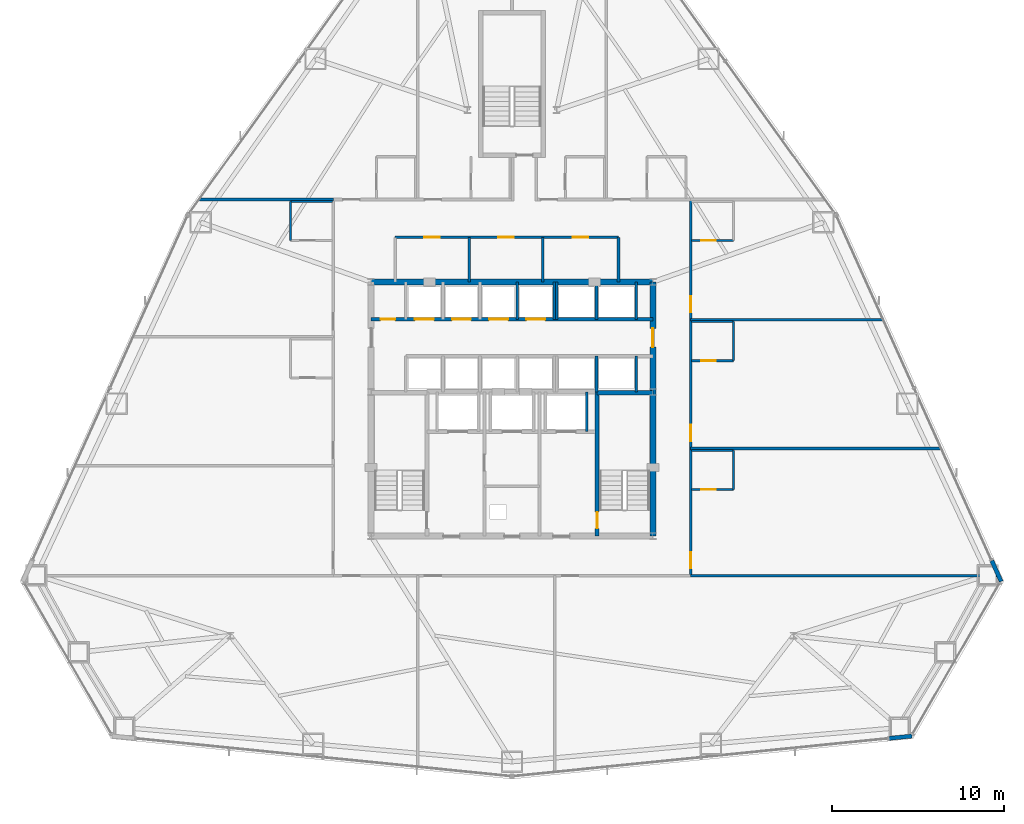
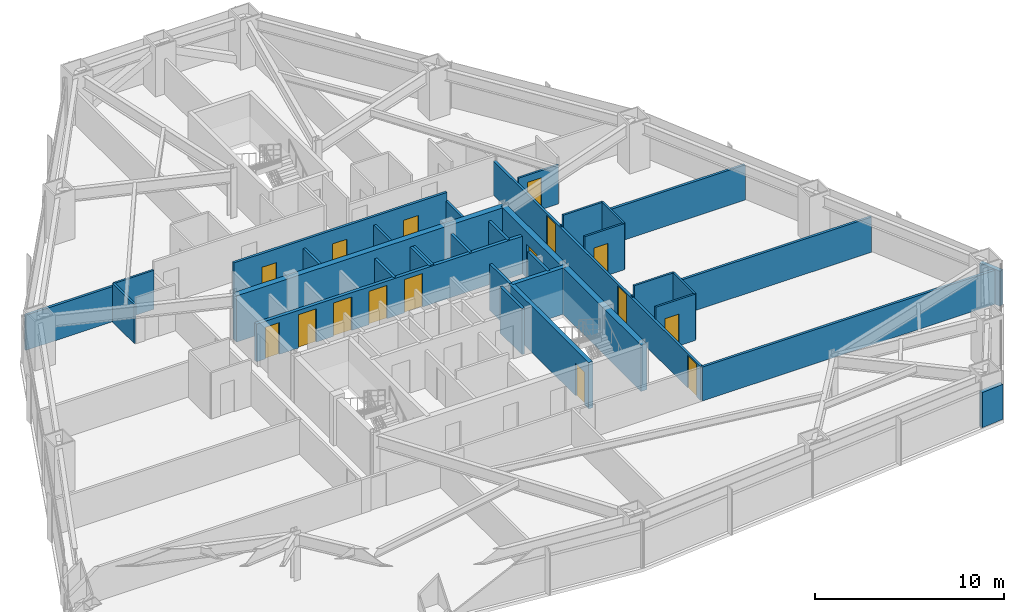
# One storey, part 10 of 12: 33 walls, 16 doors, 16 openings.
"""IFC4 building model written with IfcOpenShell, lengths in metres."""

from ifc_helpers import new_model, si_unit, direction, frame, frame_2d, origin, place, context, subcontext, project, spatial, rectangle, extrude, material, layer, layer_set, type_object, element, fill, save


model = new_model("IFC4")

# Units and contexts
model_context = context("Model", 3, precision=1e-05, world=origin(), true_north=direction((0.0, 1.0)))
body_context = subcontext(model_context, "Body", "Model", "MODEL_VIEW")
ifc_project = project(units=[si_unit("LENGTHUNIT", "METRE"), si_unit("AREAUNIT", "SQUARE_METRE"), si_unit("VOLUMEUNIT", "CUBIC_METRE"), si_unit("PLANEANGLEUNIT", "RADIAN"), si_unit("MASSUNIT", "GRAM", prefix="KILO")], contexts=[model_context])

# Site, building, storey
site_placement = place(None, origin())
site = spatial("IfcSite", under=ifc_project, at=site_placement, CompositionType="ELEMENT")
building_placement = place(site_placement, origin())
building = spatial("IfcBuilding", under=site, at=building_placement, Name="Varakhsha Concourse Tower", CompositionType="ELEMENT")
storey_placement = place(building_placement, frame((0.0, 0.0, 33.60009765625)))
storey = spatial("IfcBuildingStorey", under=building, at=storey_placement, Name="L08", CompositionType="ELEMENT", Elevation=33.60009765625)

# Wall
ifc_material_1 = material(Name="Concrete fc 65 MPa", Category="concrete")
ifc_layer_1 = layer(ifc_material_1, 0.35009765625, Name="WL-CORE-350")
ifc_layer_set_1 = layer_set([ifc_layer_1], Name="Concrete fc 65 MPa")
wall_type_1 = type_object("IfcWallType", Name="WL-CORE-350", PredefinedType="SHEAR", material=ifc_layer_set_1)
wall_1_placement = place(storey_placement, frame((31.800048828125, 31.199951171875, 0.0), z_axis=(0.0, 0.0, 1.0), x_axis=(1.0, 0.0, 0.0)))
element("IfcWall", 1, at=wall_1_placement, inside=storey, type_object=wall_type_1, Name="L08 Wall CWALL-N-L08", PredefinedType="SHEAR", context=body_context, shape_type="SweptSolid", body=[
    extrude(rectangle(XDim=16.39990234375, YDim=0.35009765625, at=frame_2d((8.199951171875, 0.0))), origin(), (0.0, 0.0, 1.0), 2.97998046875),
])

# Wall, opening, door
wall_2_placement = place(storey_placement, frame((48.199951171875, 16.39990234375, 0.0), z_axis=(0.0, 0.0, 1.0), x_axis=(0.0, 1.0, 0.0)))
wall_2 = element("IfcWall", 2, at=wall_2_placement, inside=storey, type_object=wall_type_1, Name="L08 Wall CWALL-E-L08", PredefinedType="SHEAR", context=body_context, shape_type="SweptSolid", body=[
    extrude(rectangle(XDim=14.800048828125, YDim=0.35009765625, at=frame_2d((7.39990234375, 0.0))), origin(), (0.0, 0.0, 1.0), 2.97998046875),
])
opening_1_placement = place(wall_2_placement, frame((11.0, 0.0, 0.0)))
opening_1 = element("IfcOpeningElement", 3, at=opening_1_placement, cuts=wall_2, Name="Opening DL-01", PredefinedType="OPENING", context=body_context, shape_type="SweptSolid", body=[
    extrude(rectangle(XDim=1.10009765625, YDim=2.14990234375, at=frame_2d((0.550048828125, 1.074951171875))), frame((0.0, 0.18505859375, 0.0), z_axis=(0.0, -1.0, 0.0), x_axis=(1.0, 0.0, 0.0)), (0.0, 0.0, 1.0), 0.3701171875),
])
ifc_material_2 = material(Name="Anodised Bronze Architectural Aluminium AA 6063-T6", Category="aluminium")
door_type_1 = type_object("IfcDoorType", Name="DR-LOB-1100", OperationType="NOTDEFINED", PredefinedType="DOOR", material=ifc_material_2)
door_1_placement = place(opening_1_placement, origin())
door_1 = element("IfcDoor", 4, at=door_1_placement, inside=storey, type_object=door_type_1, Name="L08 Lift Lobby East Concourse Door", OperationType="SINGLE_SWING_RIGHT", OverallHeight=2.14990234375, OverallWidth=1.10009765625, PredefinedType="DOOR", context=body_context, shape_type="SweptSolid", body=[
    extrude(rectangle(XDim=1.10009765625, YDim=2.14990234375, at=frame_2d((0.550048828125, 1.074951171875))), frame((0.0, 0.02490234375, 0.0), z_axis=(0.0, -1.0, 0.0), x_axis=(1.0, 0.0, 0.0)), (0.0, 0.0, 1.0), 0.050048828125),
])
fill(opening_1, door_1)

# Walls
ifc_material_3 = material(Name="Concrete fc 45 MPa", Category="concrete")
ifc_layer_2 = layer(ifc_material_3, 0.239990234375, Name="WL-EXT-CRN-240")
ifc_layer_set_2 = layer_set([ifc_layer_2], Name="Concrete fc 45 MPa")
wall_type_2 = type_object("IfcWallType", Name="WL-EXT-CRN-240", PredefinedType="SHEAR", material=ifc_layer_set_2)
wall_3_placement = place(storey_placement, frame((61.95654296875, 4.62060546875, 0.0), z_axis=(0.0, 0.0, 1.0), x_axis=(0.994962653924, 0.100246283205, 0.0)))
element("IfcWall", 5, at=wall_3_placement, inside=storey, type_object=wall_type_2, Name="L08 Wind-Corner Shoulder Wall F6", PredefinedType="SHEAR", context=body_context, shape_type="SweptSolid", body=[
    extrude(rectangle(XDim=1.334716796875, YDim=0.239990234375, at=frame_2d((0.66748046875, 0.0))), origin(), (0.0, 0.0, 1.0), 2.262939453125),
])
wall_4_placement = place(storey_placement, frame((68.482666015625, 13.758056640625, 0.0), z_axis=(0.0, 0.0, 1.0), x_axis=(-0.410767856127, 0.91173996752, 0.0)))
element("IfcWall", 6, at=wall_4_placement, inside=storey, type_object=wall_type_2, Name="L08 Wind-Corner Shoulder Wall F8", PredefinedType="SHEAR", context=body_context, shape_type="SweptSolid", body=[
    extrude(rectangle(XDim=1.334228515625, YDim=0.239990234375, at=frame_2d((0.6669921875, 0.0))), origin(), (0.0, 0.0, 1.0), 2.262939453125),
])
ifc_material_4 = material(Name="Acoustic Gypsum Board Partition Assembly", Category="gypsum")
ifc_layer_3 = layer(ifc_material_4, 0.1201171875, Name="WL-PART-120")
ifc_layer_set_3 = layer_set([ifc_layer_3], Name="Acoustic Gypsum Board Partition Assembly")
wall_type_3 = type_object("IfcWallType", Name="WL-PART-120", PredefinedType="PARTITIONING", material=ifc_layer_set_3)
wall_5_placement = place(storey_placement, frame((27.110107421875, 33.610107421875, 0.0), z_axis=(0.0, 0.0, 1.0), x_axis=(0.0, 1.0, 0.0)))
element("IfcWall", 7, at=wall_5_placement, inside=storey, type_object=wall_type_3, Name="L08 Wall ENSW-W-L08-H06", PredefinedType="PARTITIONING", context=body_context, shape_type="SweptSolid", body=[
    extrude(rectangle(XDim=2.27978515625, YDim=0.1201171875, at=frame_2d((1.139892578125, 0.0))), origin(), (0.0, 0.0, 1.0), 2.512939453125),
])
wall_6_placement = place(storey_placement, frame((27.110107421875, 35.889892578125, 0.0), z_axis=(0.0, 0.0, 1.0), x_axis=(1.0, 0.0, 0.0)))
element("IfcWall", 8, at=wall_6_placement, inside=storey, type_object=wall_type_3, Name="L08 Wall ENSW-N-L08-H06", PredefinedType="PARTITIONING", context=body_context, shape_type="SweptSolid", body=[
    extrude(rectangle(XDim=2.429931640625, YDim=0.1201171875, at=frame_2d((1.21484375, 0.0))), origin(), (0.0, 0.0, 1.0), 2.512939453125),
])
wall_7_placement = place(storey_placement, frame((52.889892578125, 19.110107421875, 0.0), z_axis=(0.0, 0.0, 1.0), x_axis=(0.0, 1.0, 0.0)))
element("IfcWall", 9, at=wall_7_placement, inside=storey, type_object=wall_type_3, Name="L08 Wall ENSW-E-L08-H07", PredefinedType="PARTITIONING", context=body_context, shape_type="SweptSolid", body=[
    extrude(rectangle(XDim=2.27978515625, YDim=0.1201171875, at=frame_2d((1.139892578125, 0.0))), origin(), (0.0, 0.0, 1.0), 2.97998046875),
])

# Wall, opening, door
wall_8_placement = place(storey_placement, frame((50.4599609375, 19.110107421875, 0.0), z_axis=(0.0, 0.0, 1.0), x_axis=(1.0, 0.0, 0.0)))
wall_8 = element("IfcWall", 10, at=wall_8_placement, inside=storey, type_object=wall_type_3, Name="L08 Wall ENSW-S-L08-H07", PredefinedType="PARTITIONING", context=body_context, shape_type="SweptSolid", body=[
    extrude(rectangle(XDim=2.429931640625, YDim=0.1201171875, at=frame_2d((1.21484375, 0.0))), origin(), (0.0, 0.0, 1.0), 2.97998046875),
])
opening_2_placement = place(wall_8_placement, frame((0.550048828125, 0.0, 0.0)))
opening_2 = element("IfcOpeningElement", 11, at=opening_2_placement, cuts=wall_8, Name="Opening DI-01", PredefinedType="OPENING", context=body_context, shape_type="SweptSolid", body=[
    extrude(rectangle(XDim=0.85009765625, YDim=2.050048828125, at=frame_2d((0.425048828125, 1.02490234375))), frame((0.0, 0.070068359375, 0.0), z_axis=(0.0, -1.0, 0.0), x_axis=(1.0, 0.0, 0.0)), (0.0, 0.0, 1.0), 0.14013671875),
])
ifc_material_5 = material(Name="Architectural Walnut Acoustic Timber Door", Category="wood")
door_type_2 = type_object("IfcDoorType", Name="DR-INT-850", OperationType="NOTDEFINED", PredefinedType="DOOR", material=ifc_material_5)
door_2_placement = place(opening_2_placement, origin())
door_2 = element("IfcDoor", 12, at=door_2_placement, inside=storey, type_object=door_type_2, Name="L08 En-suite Bathroom Door L08-H07", OperationType="SINGLE_SWING_RIGHT", OverallHeight=2.050048828125, OverallWidth=0.85009765625, PredefinedType="DOOR", context=body_context, shape_type="SweptSolid", body=[
    extrude(rectangle(XDim=0.85009765625, YDim=2.050048828125, at=frame_2d((0.425048828125, 1.02490234375))), frame((0.0, 0.02490234375, 0.0), z_axis=(0.0, -1.0, 0.0), x_axis=(1.0, 0.0, 0.0)), (0.0, 0.0, 1.0), 0.050048828125),
])
fill(opening_2, door_2)

# Walls
wall_9_placement = place(storey_placement, frame((50.4599609375, 21.389892578125, 0.0), z_axis=(0.0, 0.0, 1.0), x_axis=(1.0, 0.0, 0.0)))
element("IfcWall", 13, at=wall_9_placement, inside=storey, type_object=wall_type_3, Name="L08 Wall ENSW-N-L08-H07", PredefinedType="PARTITIONING", context=body_context, shape_type="SweptSolid", body=[
    extrude(rectangle(XDim=2.429931640625, YDim=0.1201171875, at=frame_2d((1.21484375, 0.0))), origin(), (0.0, 0.0, 1.0), 2.97998046875),
])
wall_10_placement = place(storey_placement, frame((52.889892578125, 26.610107421875, 0.0), z_axis=(0.0, 0.0, 1.0), x_axis=(0.0, 1.0, 0.0)))
element("IfcWall", 14, at=wall_10_placement, inside=storey, type_object=wall_type_3, Name="L08 Wall ENSW-E-L08-H08", PredefinedType="PARTITIONING", context=body_context, shape_type="SweptSolid", body=[
    extrude(rectangle(XDim=2.27978515625, YDim=0.1201171875, at=frame_2d((1.139892578125, 0.0))), origin(), (0.0, 0.0, 1.0), 2.97998046875),
])

# Wall, opening, door
wall_11_placement = place(storey_placement, frame((50.4599609375, 26.610107421875, 0.0), z_axis=(0.0, 0.0, 1.0), x_axis=(1.0, 0.0, 0.0)))
wall_11 = element("IfcWall", 15, at=wall_11_placement, inside=storey, type_object=wall_type_3, Name="L08 Wall ENSW-S-L08-H08", PredefinedType="PARTITIONING", context=body_context, shape_type="SweptSolid", body=[
    extrude(rectangle(XDim=2.429931640625, YDim=0.1201171875, at=frame_2d((1.21484375, 0.0))), origin(), (0.0, 0.0, 1.0), 2.97998046875),
])
opening_3_placement = place(wall_11_placement, frame((0.550048828125, 0.0, 0.0)))
opening_3 = element("IfcOpeningElement", 16, at=opening_3_placement, cuts=wall_11, Name="Opening DI-01", PredefinedType="OPENING", context=body_context, shape_type="SweptSolid", body=[
    extrude(rectangle(XDim=0.85009765625, YDim=2.050048828125, at=frame_2d((0.425048828125, 1.02490234375))), frame((0.0, 0.070068359375, 0.0), z_axis=(0.0, -1.0, 0.0), x_axis=(1.0, 0.0, 0.0)), (0.0, 0.0, 1.0), 0.14013671875),
])
door_3_placement = place(opening_3_placement, origin())
door_3 = element("IfcDoor", 17, at=door_3_placement, inside=storey, type_object=door_type_2, Name="L08 En-suite Bathroom Door L08-H08", OperationType="SINGLE_SWING_RIGHT", OverallHeight=2.050048828125, OverallWidth=0.85009765625, PredefinedType="DOOR", context=body_context, shape_type="SweptSolid", body=[
    extrude(rectangle(XDim=0.85009765625, YDim=2.050048828125, at=frame_2d((0.425048828125, 1.02490234375))), frame((0.0, 0.02490234375, 0.0), z_axis=(0.0, -1.0, 0.0), x_axis=(1.0, 0.0, 0.0)), (0.0, 0.0, 1.0), 0.050048828125),
])
fill(opening_3, door_3)

# Wall
wall_12_placement = place(storey_placement, frame((50.4599609375, 28.889892578125, 0.0), z_axis=(0.0, 0.0, 1.0), x_axis=(1.0, 0.0, 0.0)))
element("IfcWall", 18, at=wall_12_placement, inside=storey, type_object=wall_type_3, Name="L08 Wall ENSW-N-L08-H08", PredefinedType="PARTITIONING", context=body_context, shape_type="SweptSolid", body=[
    extrude(rectangle(XDim=2.429931640625, YDim=0.1201171875, at=frame_2d((1.21484375, 0.0))), origin(), (0.0, 0.0, 1.0), 2.97998046875),
])

# Wall, opening, door
wall_13_placement = place(storey_placement, frame((50.4599609375, 33.610107421875, 0.0), z_axis=(0.0, 0.0, 1.0), x_axis=(1.0, 0.0, 0.0)))
wall_13 = element("IfcWall", 19, at=wall_13_placement, inside=storey, type_object=wall_type_3, Name="L08 Wall ENSW-S-L08-H09", PredefinedType="PARTITIONING", context=body_context, shape_type="SweptSolid", body=[
    extrude(rectangle(XDim=2.429931640625, YDim=0.1201171875, at=frame_2d((1.21484375, 0.0))), origin(), (0.0, 0.0, 1.0), 2.512939453125),
])
opening_4_placement = place(wall_13_placement, frame((0.550048828125, 0.0, 0.0)))
opening_4 = element("IfcOpeningElement", 20, at=opening_4_placement, cuts=wall_13, Name="Opening DI-01", PredefinedType="OPENING", context=body_context, shape_type="SweptSolid", body=[
    extrude(rectangle(XDim=0.85009765625, YDim=2.050048828125, at=frame_2d((0.425048828125, 1.02490234375))), frame((0.0, 0.070068359375, 0.0), z_axis=(0.0, -1.0, 0.0), x_axis=(1.0, 0.0, 0.0)), (0.0, 0.0, 1.0), 0.14013671875),
])
door_4_placement = place(opening_4_placement, origin())
door_4 = element("IfcDoor", 21, at=door_4_placement, inside=storey, type_object=door_type_2, Name="L08 En-suite Bathroom Door L08-H09", OperationType="SINGLE_SWING_RIGHT", OverallHeight=2.050048828125, OverallWidth=0.85009765625, PredefinedType="DOOR", context=body_context, shape_type="SweptSolid", body=[
    extrude(rectangle(XDim=0.85009765625, YDim=2.050048828125, at=frame_2d((0.425048828125, 1.02490234375))), frame((0.0, 0.02490234375, 0.0), z_axis=(0.0, -1.0, 0.0), x_axis=(1.0, 0.0, 0.0)), (0.0, 0.0, 1.0), 0.050048828125),
])
fill(opening_4, door_4)

# Wall, openings, doors
ifc_material_6 = material(Name="Fire-Rated Type X Gypsum Partition Assembly", Category="gypsum")
ifc_layer_4 = layer(ifc_material_6, 0.14990234375, Name="WL-PART-150")
ifc_layer_set_4 = layer_set([ifc_layer_4], Name="Fire-Rated Type X Gypsum Partition Assembly")
wall_type_4 = type_object("IfcWallType", Name="WL-PART-150", PredefinedType="PARTITIONING", material=ifc_layer_set_4)
wall_14_placement = place(storey_placement, frame((33.199951171875, 33.800048828125, 0.0), z_axis=(0.0, 0.0, 1.0), x_axis=(1.0, 0.0, 0.0)))
wall_14 = element("IfcWall", 22, at=wall_14_placement, inside=storey, type_object=wall_type_4, Name="L08 Wall NBOH-N-L08", PredefinedType="PARTITIONING", context=body_context, shape_type="SweptSolid", body=[
    extrude(rectangle(XDim=13.0, YDim=0.14990234375, at=frame_2d((6.5, 0.0))), origin(), (0.0, 0.0, 1.0), 2.97998046875),
])
opening_5_placement = place(wall_14_placement, frame((1.699951171875, 0.0, 0.0)))
opening_5 = element("IfcOpeningElement", 23, at=opening_5_placement, cuts=wall_14, Name="Opening DF-06", PredefinedType="OPENING", context=body_context, shape_type="SweptSolid", body=[
    extrude(rectangle(XDim=0.89990234375, YDim=2.10009765625, at=frame_2d((0.449951171875, 1.050048828125))), frame((0.0, 0.0849609375, 0.0), z_axis=(0.0, -1.0, 0.0), x_axis=(1.0, 0.0, 0.0)), (0.0, 0.0, 1.0), 0.169921875),
])
opening_6_placement = place(wall_14_placement, frame((6.0, 0.0, 0.0)))
opening_6 = element("IfcOpeningElement", 24, at=opening_6_placement, cuts=wall_14, Name="Opening DF-06", PredefinedType="OPENING", context=body_context, shape_type="SweptSolid", body=[
    extrude(rectangle(XDim=0.89990234375, YDim=2.10009765625, at=frame_2d((0.449951171875, 1.050048828125))), frame((0.0, 0.0849609375, 0.0), z_axis=(0.0, -1.0, 0.0), x_axis=(1.0, 0.0, 0.0)), (0.0, 0.0, 1.0), 0.169921875),
])
opening_7_placement = place(wall_14_placement, frame((10.35009765625, 0.0, 0.0)))
opening_7 = element("IfcOpeningElement", 25, at=opening_7_placement, cuts=wall_14, Name="Opening DF-06", PredefinedType="OPENING", context=body_context, shape_type="SweptSolid", body=[
    extrude(rectangle(XDim=0.89990234375, YDim=2.10009765625, at=frame_2d((0.449951171875, 1.050048828125))), frame((0.0, 0.0849609375, 0.0), z_axis=(0.0, -1.0, 0.0), x_axis=(1.0, 0.0, 0.0)), (0.0, 0.0, 1.0), 0.169921875),
])
ifc_material_7 = material(Name="Hollow Galvanised Steel Fire Door Assembly", Category="steel")
door_type_3 = type_object("IfcDoorType", Name="DR-FD60-900", OperationType="NOTDEFINED", PredefinedType="DOOR", material=ifc_material_7)
door_5_placement = place(opening_5_placement, origin())
door_5 = element("IfcDoor", 26, at=door_5_placement, inside=storey, type_object=door_type_3, Name="L08 Housekeeping and Linen Room Door", OperationType="SINGLE_SWING_LEFT", OverallHeight=2.10009765625, OverallWidth=0.89990234375, PredefinedType="DOOR", context=body_context, shape_type="SweptSolid", body=[
    extrude(rectangle(XDim=0.89990234375, YDim=2.10009765625, at=frame_2d((0.449951171875, 1.050048828125))), frame((0.0, 0.02490234375, 0.0), z_axis=(0.0, -1.0, 0.0), x_axis=(1.0, 0.0, 0.0)), (0.0, 0.0, 1.0), 0.050048828125),
])
fill(opening_5, door_5)
door_6_placement = place(opening_6_placement, origin())
door_6 = element("IfcDoor", 27, at=door_6_placement, inside=storey, type_object=door_type_3, Name="L08 Accessible WC Door", OperationType="SINGLE_SWING_RIGHT", OverallHeight=2.10009765625, OverallWidth=0.89990234375, PredefinedType="DOOR", context=body_context, shape_type="SweptSolid", body=[
    extrude(rectangle(XDim=0.89990234375, YDim=2.10009765625, at=frame_2d((0.449951171875, 1.050048828125))), frame((0.0, 0.02490234375, 0.0), z_axis=(0.0, -1.0, 0.0), x_axis=(1.0, 0.0, 0.0)), (0.0, 0.0, 1.0), 0.050048828125),
])
fill(opening_6, door_6)
door_7_placement = place(opening_7_placement, origin())
door_7 = element("IfcDoor", 28, at=door_7_placement, inside=storey, type_object=door_type_3, Name="L08 Staff Restroom WC Door", OperationType="SINGLE_SWING_LEFT", OverallHeight=2.10009765625, OverallWidth=0.89990234375, PredefinedType="DOOR", context=body_context, shape_type="SweptSolid", body=[
    extrude(rectangle(XDim=0.89990234375, YDim=2.10009765625, at=frame_2d((0.449951171875, 1.050048828125))), frame((0.0, 0.02490234375, 0.0), z_axis=(0.0, -1.0, 0.0), x_axis=(1.0, 0.0, 0.0)), (0.0, 0.0, 1.0), 0.050048828125),
])
fill(opening_7, door_7)

# Walls
for number, where, z_axis, x_axis, name in (
    (29, (46.199951171875, 31.199951171875, 0.0), (0.0, 0.0, 1.0), (0.0, 1.0, 0.0), "L08 Wall NBOH-E-L08"),
    (30, (37.5, 31.199951171875, 0.0), (0.0, 0.0, 1.0), (0.0, 1.0, 0.0), "L08 Wall NBOH-D1-L08"),
    (31, (41.800048828125, 31.199951171875, 0.0), (0.0, 0.0, 1.0), (0.0, 1.0, 0.0), "L08 Wall NBOH-D2-L08"),
):
    element("IfcWall", number, at=place(storey_placement, frame(where, z_axis=z_axis, x_axis=x_axis)), inside=storey, type_object=wall_type_4, Name=name, PredefinedType="PARTITIONING", context=body_context, shape_type="SweptSolid", body=[
        extrude(rectangle(XDim=2.60009765625, YDim=0.14990234375, at=frame_2d((1.300048828125, 0.0))), origin(), (0.0, 0.0, 1.0), 2.430908203125),
    ])

# Wall, openings, doors
wall_15_placement = place(storey_placement, frame((50.39990234375, 14.10009765625, 0.0), z_axis=(0.0, 0.0, 1.0), x_axis=(0.0, 1.0, 0.0)))
wall_15 = element("IfcWall", 32, at=wall_15_placement, inside=storey, type_object=wall_type_4, Name="L08 Wall CRW-E-L08", PredefinedType="PARTITIONING", context=body_context, shape_type="SweptSolid", body=[
    extrude(rectangle(XDim=21.89990234375, YDim=0.14990234375, at=frame_2d((10.949951171875, 0.0))), origin(), (0.0, 0.0, 1.0), 2.19091796875),
])
opening_8_placement = place(wall_15_placement, frame((0.419921875, 0.0, 0.0)))
opening_8 = element("IfcOpeningElement", 33, at=opening_8_placement, cuts=wall_15, Name="Opening DF-05", PredefinedType="OPENING", context=body_context, shape_type="SweptSolid", body=[
    extrude(rectangle(XDim=0.949951171875, YDim=2.10009765625, at=frame_2d((0.47509765625, 1.050048828125))), frame((0.0, 0.0849609375, 0.0), z_axis=(0.0, -1.0, 0.0), x_axis=(1.0, 0.0, 0.0)), (0.0, 0.0, 1.0), 0.169921875),
])
opening_9_placement = place(wall_15_placement, frame((7.820068359375, 0.0, 0.0)))
opening_9 = element("IfcOpeningElement", 34, at=opening_9_placement, cuts=wall_15, Name="Opening DF-05", PredefinedType="OPENING", context=body_context, shape_type="SweptSolid", body=[
    extrude(rectangle(XDim=0.949951171875, YDim=2.10009765625, at=frame_2d((0.47509765625, 1.050048828125))), frame((0.0, 0.0849609375, 0.0), z_axis=(0.0, -1.0, 0.0), x_axis=(1.0, 0.0, 0.0)), (0.0, 0.0, 1.0), 0.169921875),
])
opening_10_placement = place(wall_15_placement, frame((15.320068359375, 0.0, 0.0)))
opening_10 = element("IfcOpeningElement", 35, at=opening_10_placement, cuts=wall_15, Name="Opening DF-05", PredefinedType="OPENING", context=body_context, shape_type="SweptSolid", body=[
    extrude(rectangle(XDim=0.949951171875, YDim=2.10009765625, at=frame_2d((0.47509765625, 1.050048828125))), frame((0.0, 0.0849609375, 0.0), z_axis=(0.0, -1.0, 0.0), x_axis=(1.0, 0.0, 0.0)), (0.0, 0.0, 1.0), 0.169921875),
])
door_type_4 = type_object("IfcDoorType", Name="DR-FD60-950", OperationType="NOTDEFINED", PredefinedType="DOOR", material=ifc_material_7)
door_8_placement = place(opening_8_placement, origin())
door_8 = element("IfcDoor", 36, at=door_8_placement, inside=storey, type_object=door_type_4, Name="L08 Hotel Corner Suite L08-H07 Entry Door", OperationType="SINGLE_SWING_LEFT", OverallHeight=2.10009765625, OverallWidth=0.949951171875, PredefinedType="DOOR", context=body_context, shape_type="SweptSolid", body=[
    extrude(rectangle(XDim=0.949951171875, YDim=2.10009765625, at=frame_2d((0.47509765625, 1.050048828125))), frame((0.0, 0.02490234375, 0.0), z_axis=(0.0, -1.0, 0.0), x_axis=(1.0, 0.0, 0.0)), (0.0, 0.0, 1.0), 0.050048828125),
])
fill(opening_8, door_8)
door_9_placement = place(opening_9_placement, origin())
door_9 = element("IfcDoor", 37, at=door_9_placement, inside=storey, type_object=door_type_4, Name="L08 Hotel Corner Suite L08-H08 Entry Door", OperationType="SINGLE_SWING_RIGHT", OverallHeight=2.10009765625, OverallWidth=0.949951171875, PredefinedType="DOOR", context=body_context, shape_type="SweptSolid", body=[
    extrude(rectangle(XDim=0.949951171875, YDim=2.10009765625, at=frame_2d((0.47509765625, 1.050048828125))), frame((0.0, 0.02490234375, 0.0), z_axis=(0.0, -1.0, 0.0), x_axis=(1.0, 0.0, 0.0)), (0.0, 0.0, 1.0), 0.050048828125),
])
fill(opening_9, door_9)
door_10_placement = place(opening_10_placement, origin())
door_10 = element("IfcDoor", 38, at=door_10_placement, inside=storey, type_object=door_type_4, Name="L08 Hotel Corner Suite L08-H09 Entry Door", OperationType="SINGLE_SWING_LEFT", OverallHeight=2.10009765625, OverallWidth=0.949951171875, PredefinedType="DOOR", context=body_context, shape_type="SweptSolid", body=[
    extrude(rectangle(XDim=0.949951171875, YDim=2.10009765625, at=frame_2d((0.47509765625, 1.050048828125))), frame((0.0, 0.02490234375, 0.0), z_axis=(0.0, -1.0, 0.0), x_axis=(1.0, 0.0, 0.0)), (0.0, 0.0, 1.0), 0.050048828125),
])
fill(opening_10, door_10)

# Walls
wall_16_placement = place(storey_placement, frame((21.78564453125, 36.0, 0.0), z_axis=(0.0, 0.0, 1.0), x_axis=(1.0, 0.0, 0.0)))
element("IfcWall", 39, at=wall_16_placement, inside=storey, type_object=wall_type_4, Name="L08 Wall HDIV-WBN-L08", PredefinedType="PARTITIONING", context=body_context, shape_type="SweptSolid", body=[
    extrude(rectangle(XDim=7.814453125, YDim=0.14990234375, at=frame_2d((3.9072265625, 0.0))), origin(), (0.0, 0.0, 1.0), 2.267822265625),
])
wall_17_placement = place(storey_placement, frame((50.39990234375, 14.10009765625, 0.0), z_axis=(0.0, 0.0, 1.0), x_axis=(1.0, 0.0, 0.0)))
element("IfcWall", 40, at=wall_17_placement, inside=storey, type_object=wall_type_4, Name="L08 Wall HDIV-EB0-L08", PredefinedType="PARTITIONING", context=body_context, shape_type="SweptSolid", body=[
    extrude(rectangle(XDim=17.923095703125, YDim=0.14990234375, at=frame_2d((8.96142578125, 0.0))), origin(), (0.0, 0.0, 1.0), 2.19091796875),
])
wall_18_placement = place(storey_placement, frame((50.39990234375, 21.5, 0.0), z_axis=(0.0, 0.0, 1.0), x_axis=(1.0, 0.0, 0.0)))
element("IfcWall", 41, at=wall_18_placement, inside=storey, type_object=wall_type_4, Name="L08 Wall HDIV-E1-L08", PredefinedType="PARTITIONING", context=body_context, shape_type="SweptSolid", body=[
    extrude(rectangle(XDim=14.590087890625, YDim=0.14990234375, at=frame_2d((7.294921875, 0.0))), origin(), (0.0, 0.0, 1.0), 2.267822265625),
])
wall_19_placement = place(storey_placement, frame((50.39990234375, 29.0, 0.0), z_axis=(0.0, 0.0, 1.0), x_axis=(1.0, 0.0, 0.0)))
element("IfcWall", 42, at=wall_19_placement, inside=storey, type_object=wall_type_4, Name="L08 Wall HDIV-E2-L08", PredefinedType="PARTITIONING", context=body_context, shape_type="SweptSolid", body=[
    extrude(rectangle(XDim=11.2119140625, YDim=0.14990234375, at=frame_2d((5.60595703125, 0.0))), origin(), (0.0, 0.0, 1.0), 2.267822265625),
])
ifc_layer_5 = layer(ifc_material_6, 0.199951171875, Name="WL-SHAFT-220")
ifc_layer_set_5 = layer_set([ifc_layer_5], Name="Fire-Rated Type X Gypsum Partition Assembly")
wall_type_5 = type_object("IfcWallType", Name="WL-SHAFT-220", PredefinedType="SOLIDWALL", material=ifc_layer_set_5)
wall_20_placement = place(storey_placement, frame((44.35009765625, 22.47998046875, 0.0), z_axis=(0.0, 0.0, 1.0), x_axis=(0.0, 1.0, 0.0)))
element("IfcWall", 43, at=wall_20_placement, inside=storey, type_object=wall_type_5, Name="L08 Wall SHW-FFL-2-E-L08", PredefinedType="SOLIDWALL", context=body_context, shape_type="SweptSolid", body=[
    extrude(rectangle(XDim=2.320068359375, YDim=0.159912109375, at=frame_2d((1.16015625, 0.0))), origin(), (0.0, 0.0, 1.0), 2.97998046875),
])

# Wall, openings, doors
wall_21_placement = place(storey_placement, frame((31.800048828125, 29.02001953125, 0.0), z_axis=(0.0, 0.0, 1.0), x_axis=(1.0, 0.0, 0.0)))
wall_21 = element("IfcWall", 44, at=wall_21_placement, inside=storey, type_object=wall_type_5, Name="L08 Wall PLW-N-L08", PredefinedType="SOLIDWALL", context=body_context, shape_type="SweptSolid", body=[
    extrude(rectangle(XDim=16.39990234375, YDim=0.199951171875, at=frame_2d((8.199951171875, 0.0))), origin(), (0.0, 0.0, 1.0), 2.430908203125),
])
opening_11_placement = place(wall_21_placement, frame((0.550048828125, 0.0, 0.0)))
opening_11 = element("IfcOpeningElement", 45, at=opening_11_placement, cuts=wall_21, Name="Opening DF-07", PredefinedType="OPENING", context=body_context, shape_type="SweptSolid", body=[
    extrude(rectangle(XDim=0.85009765625, YDim=2.050048828125, at=frame_2d((0.425048828125, 1.02490234375))), frame((0.0, 0.10986328125, 0.0), z_axis=(0.0, -1.0, 0.0), x_axis=(1.0, 0.0, 0.0)), (0.0, 0.0, 1.0), 0.219970703125),
])
opening_12_placement = place(wall_21_placement, frame((2.550048828125, 0.0, 0.0)))
opening_12 = element("IfcOpeningElement", 46, at=opening_12_placement, cuts=wall_21, Name="Opening LD-LF-P01", PredefinedType="OPENING", context=body_context, shape_type="SweptSolid", body=[
    extrude(rectangle(XDim=1.10009765625, YDim=2.14990234375, at=frame_2d((0.550048828125, 1.074951171875))), frame((0.0, 0.10986328125, 0.0), z_axis=(0.0, -1.0, 0.0), x_axis=(1.0, 0.0, 0.0)), (0.0, 0.0, 1.0), 0.219970703125),
])
opening_13_placement = place(wall_21_placement, frame((4.7099609375, 0.0, 0.0)))
opening_13 = element("IfcOpeningElement", 47, at=opening_13_placement, cuts=wall_21, Name="Opening LD-LF-P02", PredefinedType="OPENING", context=body_context, shape_type="SweptSolid", body=[
    extrude(rectangle(XDim=1.10009765625, YDim=2.14990234375, at=frame_2d((0.550048828125, 1.074951171875))), frame((0.0, 0.10986328125, 0.0), z_axis=(0.0, -1.0, 0.0), x_axis=(1.0, 0.0, 0.0)), (0.0, 0.0, 1.0), 0.219970703125),
])
opening_14_placement = place(wall_21_placement, frame((6.8701171875, 0.0, 0.0)))
opening_14 = element("IfcOpeningElement", 48, at=opening_14_placement, cuts=wall_21, Name="Opening LD-LF-P03", PredefinedType="OPENING", context=body_context, shape_type="SweptSolid", body=[
    extrude(rectangle(XDim=1.10009765625, YDim=2.14990234375, at=frame_2d((0.550048828125, 1.074951171875))), frame((0.0, 0.10986328125, 0.0), z_axis=(0.0, -1.0, 0.0), x_axis=(1.0, 0.0, 0.0)), (0.0, 0.0, 1.0), 0.219970703125),
])
opening_15_placement = place(wall_21_placement, frame((9.030029296875, 0.0, 0.0)))
opening_15 = element("IfcOpeningElement", 49, at=opening_15_placement, cuts=wall_21, Name="Opening LD-LF-P04", PredefinedType="OPENING", context=body_context, shape_type="SweptSolid", body=[
    extrude(rectangle(XDim=1.10009765625, YDim=2.14990234375, at=frame_2d((0.550048828125, 1.074951171875))), frame((0.0, 0.10986328125, 0.0), z_axis=(0.0, -1.0, 0.0), x_axis=(1.0, 0.0, 0.0)), (0.0, 0.0, 1.0), 0.219970703125),
])
door_type_5 = type_object("IfcDoorType", Name="DR-FD60-850", OperationType="NOTDEFINED", PredefinedType="DOOR", material=ifc_material_7)
door_11_placement = place(opening_11_placement, origin())
door_11 = element("IfcDoor", 50, at=door_11_placement, inside=storey, type_object=door_type_5, Name="L08 Core Janitor Closet Door", OperationType="SINGLE_SWING_LEFT", OverallHeight=2.050048828125, OverallWidth=0.85009765625, PredefinedType="DOOR", context=body_context, shape_type="SweptSolid", body=[
    extrude(rectangle(XDim=0.85009765625, YDim=2.050048828125, at=frame_2d((0.425048828125, 1.02490234375))), frame((0.0, 0.02490234375, 0.0), z_axis=(0.0, -1.0, 0.0), x_axis=(1.0, 0.0, 0.0)), (0.0, 0.0, 1.0), 0.050048828125),
])
fill(opening_11, door_11)
ifc_material_8 = material(Name="Brushed Austenitic Stainless Steel AISI 316", Category="steel")
door_type_6 = type_object("IfcDoorType", Name="DR-LD-1100", OperationType="DOUBLE_DOOR_SLIDING", PredefinedType="DOOR", material=ifc_material_8)
door_12_placement = place(opening_12_placement, origin())
door_12 = element("IfcDoor", 51, at=door_12_placement, inside=storey, type_object=door_type_6, Name="Lift Landing Door LF-P01 L08", OperationType="DOUBLE_DOOR_SLIDING", OverallHeight=2.14990234375, OverallWidth=1.10009765625, PredefinedType="DOOR", context=body_context, shape_type="SweptSolid", body=[
    extrude(rectangle(XDim=1.10009765625, YDim=2.14990234375, at=frame_2d((0.550048828125, 1.074951171875))), frame((0.0, 0.02490234375, 0.0), z_axis=(0.0, -1.0, 0.0), x_axis=(1.0, 0.0, 0.0)), (0.0, 0.0, 1.0), 0.050048828125),
])
fill(opening_12, door_12)
door_13_placement = place(opening_13_placement, origin())
door_13 = element("IfcDoor", 52, at=door_13_placement, inside=storey, type_object=door_type_6, Name="Lift Landing Door LF-P02 L08", OperationType="DOUBLE_DOOR_SLIDING", OverallHeight=2.14990234375, OverallWidth=1.10009765625, PredefinedType="DOOR", context=body_context, shape_type="SweptSolid", body=[
    extrude(rectangle(XDim=1.10009765625, YDim=2.14990234375, at=frame_2d((0.550048828125, 1.074951171875))), frame((0.0, 0.02490234375, 0.0), z_axis=(0.0, -1.0, 0.0), x_axis=(1.0, 0.0, 0.0)), (0.0, 0.0, 1.0), 0.050048828125),
])
fill(opening_13, door_13)
door_14_placement = place(opening_14_placement, origin())
door_14 = element("IfcDoor", 53, at=door_14_placement, inside=storey, type_object=door_type_6, Name="Lift Landing Door LF-P03 L08", OperationType="DOUBLE_DOOR_SLIDING", OverallHeight=2.14990234375, OverallWidth=1.10009765625, PredefinedType="DOOR", context=body_context, shape_type="SweptSolid", body=[
    extrude(rectangle(XDim=1.10009765625, YDim=2.14990234375, at=frame_2d((0.550048828125, 1.074951171875))), frame((0.0, 0.02490234375, 0.0), z_axis=(0.0, -1.0, 0.0), x_axis=(1.0, 0.0, 0.0)), (0.0, 0.0, 1.0), 0.050048828125),
])
fill(opening_14, door_14)
door_15_placement = place(opening_15_placement, origin())
door_15 = element("IfcDoor", 54, at=door_15_placement, inside=storey, type_object=door_type_6, Name="Lift Landing Door LF-P04 L08", OperationType="DOUBLE_DOOR_SLIDING", OverallHeight=2.14990234375, OverallWidth=1.10009765625, PredefinedType="DOOR", context=body_context, shape_type="SweptSolid", body=[
    extrude(rectangle(XDim=1.10009765625, YDim=2.14990234375, at=frame_2d((0.550048828125, 1.074951171875))), frame((0.0, 0.02490234375, 0.0), z_axis=(0.0, -1.0, 0.0), x_axis=(1.0, 0.0, 0.0)), (0.0, 0.0, 1.0), 0.050048828125),
])
fill(opening_15, door_15)

# Walls
for number, where, z_axis, x_axis, name in (
    (55, (40.300048828125, 29.02001953125, 0.0), (0.0, 0.0, 1.0), (0.0, 1.0, 0.0), "L08 Wall SHW-LF-P03-E-L08"),
    (56, (42.4599609375, 29.02001953125, 0.0), (0.0, 0.0, 1.0), (0.0, 1.0, 0.0), "L08 Wall SHW-LF-P04-E-L08"),
    (57, (42.60009765625, 29.02001953125, 0.0), (0.0, 0.0, 1.0), (0.0, 1.0, 0.0), "L08 Wall SHW-LF-P09-W-L08"),
    (58, (44.919921875, 29.02001953125, 0.0), (0.0, 0.0, 1.0), (0.0, 1.0, 0.0), "L08 Wall SHW-LF-P09-E-L08"),
    (59, (47.239990234375, 29.02001953125, 0.0), (0.0, 0.0, 1.0), (0.0, 1.0, 0.0), "L08 Wall SHW-LF-P10-E-L08"),
):
    element("IfcWall", number, at=place(storey_placement, frame(where, z_axis=z_axis, x_axis=x_axis)), inside=storey, type_object=wall_type_5, Name=name, PredefinedType="SOLIDWALL", context=body_context, shape_type="SweptSolid", body=[
        extrude(rectangle(XDim=2.179931640625, YDim=0.159912109375, at=frame_2d((1.08984375, 0.0))), origin(), (0.0, 0.0, 1.0), 2.430908203125),
    ])
for number, where, z_axis, x_axis, name in (
    (60, (44.919921875, 24.800048828125, 0.0), (0.0, 0.0, 1.0), (0.0, 1.0, 0.0), "L08 Wall SHW-LF-P11-E-L08"),
    (61, (47.239990234375, 24.800048828125, 0.0), (0.0, 0.0, 1.0), (0.0, 1.0, 0.0), "L08 Wall SHW-LF-P12-E-L08"),
):
    element("IfcWall", number, at=place(storey_placement, frame(where, z_axis=z_axis, x_axis=x_axis)), inside=storey, type_object=wall_type_5, Name=name, PredefinedType="SOLIDWALL", context=body_context, shape_type="SweptSolid", body=[
        extrude(rectangle(XDim=2.079833984375, YDim=0.159912109375, at=frame_2d((1.0400390625, 0.0))), origin(), (0.0, 0.0, 1.0), 2.97998046875),
    ])

# Wall, opening, door
ifc_layer_6 = layer(ifc_material_3, 0.25, Name="WL-STAIR-250")
ifc_layer_set_6 = layer_set([ifc_layer_6], Name="Concrete fc 45 MPa")
wall_type_6 = type_object("IfcWallType", Name="WL-STAIR-250", PredefinedType="SHEAR", material=ifc_layer_set_6)
wall_22_placement = place(storey_placement, frame((44.955078125, 16.39990234375, 0.0), z_axis=(0.0, 0.0, 1.0), x_axis=(0.0, 1.0, 0.0)))
wall_22 = element("IfcWall", 62, at=wall_22_placement, inside=storey, type_object=wall_type_6, Name="L08 Wall SWALL-ST2-W-L08", PredefinedType="SHEAR", context=body_context, shape_type="SweptSolid", body=[
    extrude(rectangle(XDim=8.400146484375, YDim=0.25, at=frame_2d((4.2001953125, 0.0))), origin(), (0.0, 0.0, 1.0), 2.97998046875),
])
opening_16_placement = place(wall_22_placement, frame((0.449951171875, 0.0, 0.0)))
opening_16 = element("IfcOpeningElement", 63, at=opening_16_placement, cuts=wall_22, Name="Opening DF-03", PredefinedType="OPENING", context=body_context, shape_type="SweptSolid", body=[
    extrude(rectangle(XDim=0.949951171875, YDim=2.10009765625, at=frame_2d((0.47509765625, 1.050048828125))), frame((0.0, 0.135009765625, 0.0), z_axis=(0.0, -1.0, 0.0), x_axis=(1.0, 0.0, 0.0)), (0.0, 0.0, 1.0), 0.27001953125),
])
door_type_7 = type_object("IfcDoorType", Name="DR-FD90-950", OperationType="NOTDEFINED", PredefinedType="DOOR", material=ifc_material_7)
door_16_placement = place(opening_16_placement, origin())
door_16 = element("IfcDoor", 64, at=door_16_placement, inside=storey, type_object=door_type_7, Name="L08 Stair ST2 Fire Door", OperationType="SINGLE_SWING_RIGHT", OverallHeight=2.10009765625, OverallWidth=0.949951171875, PredefinedType="DOOR", context=body_context, shape_type="SweptSolid", body=[
    extrude(rectangle(XDim=0.949951171875, YDim=2.10009765625, at=frame_2d((0.47509765625, 1.050048828125))), frame((0.0, 0.02490234375, 0.0), z_axis=(0.0, -1.0, 0.0), x_axis=(1.0, 0.0, 0.0)), (0.0, 0.0, 1.0), 0.050048828125),
])
fill(opening_16, door_16)

# Wall
wall_23_placement = place(storey_placement, frame((44.955078125, 24.7548828125, 0.0), z_axis=(0.0, 0.0, 1.0), x_axis=(1.0, 0.0, 0.0)))
element("IfcWall", 65, at=wall_23_placement, inside=storey, type_object=wall_type_6, Name="L08 Wall SWALL-ST2-N-L08", PredefinedType="SHEAR", context=body_context, shape_type="SweptSolid", body=[
    extrude(rectangle(XDim=3.244873046875, YDim=0.25, at=frame_2d((1.62255859375, 0.0))), origin(), (0.0, 0.0, 1.0), 2.97998046875),
])

save(model, "model.ifc")
